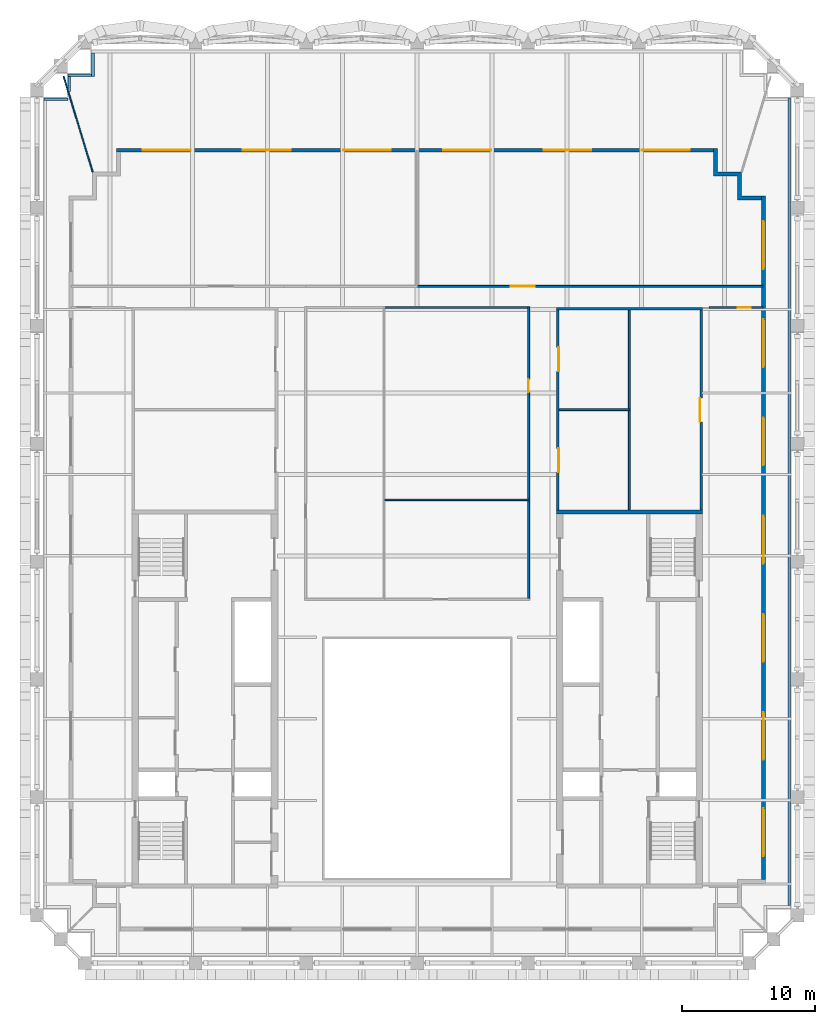
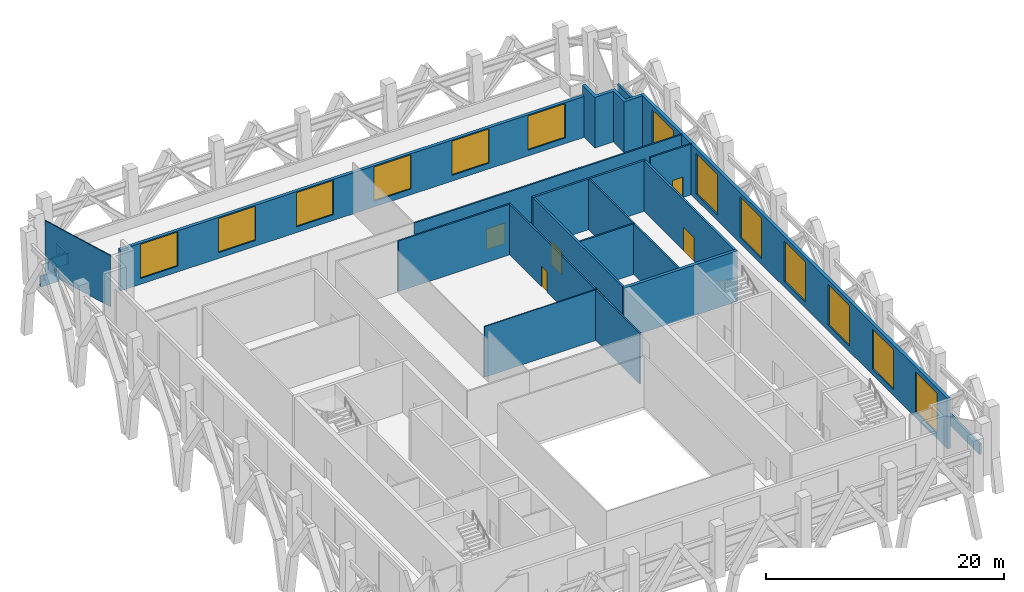
# One storey, part 7 of 13: 21 walls, 13 windows, 6 doors, 19 openings.
"""IFC4 building model written with IfcOpenShell, lengths in metres."""

from ifc_helpers import new_model, si_unit, direction, frame, frame_2d, origin, place, context, subcontext, project, spatial, polyline, rectangle, outline, extrude, material, layer, layer_set, type_object, element, fill, save


model = new_model("IFC4")

# Units and contexts
model_context = context("Model", 3, precision=1e-05, world=origin(), true_north=direction((0.0, 1.0)))
body_context = subcontext(model_context, "Body", "Model", "MODEL_VIEW")
ifc_project = project(units=[si_unit("LENGTHUNIT", "METRE"), si_unit("AREAUNIT", "SQUARE_METRE"), si_unit("VOLUMEUNIT", "CUBIC_METRE"), si_unit("PLANEANGLEUNIT", "RADIAN"), si_unit("MASSUNIT", "GRAM", prefix="KILO")], contexts=[model_context])

# Site, building, storey
site_placement = place(None, origin())
site = spatial("IfcSite", under=ifc_project, at=site_placement, CompositionType="ELEMENT")
building_placement = place(site_placement, origin())
building = spatial("IfcBuilding", under=site, at=building_placement, Name="Ogive Exchange Tower", CompositionType="ELEMENT")
storey_placement = place(building_placement, frame((0.0, 0.0, 363.60009765625)))
storey = spatial("IfcBuildingStorey", under=building, at=storey_placement, Name="L80", CompositionType="ELEMENT", Elevation=363.60009765625)

# Walls
ifc_material_1 = material(Name="Gypsum board partition")
ifc_layer_1 = layer(ifc_material_1, 0.14990234375)
ifc_layer_set_1 = layer_set([ifc_layer_1], Name="Core room partition 150 gypsum")
wall_type_1 = type_object("IfcWallType", Name="Core room partition 150 gypsum", PredefinedType="PARTITIONING", material=ifc_layer_set_1)
wall_1_placement = place(storey_placement, frame((16.0, 25.75, 0.0), z_axis=(0.0, 0.0, 1.0), x_axis=(0.0, 1.0, 0.0)))
element("IfcWall", 1, at=wall_1_placement, inside=storey, type_object=wall_type_1, Name="E annex N column wall", PredefinedType="PARTITIONING", context=body_context, shape_type="SweptSolid", body=[
    extrude(rectangle(XDim=15.050048828125, YDim=0.14990234375, at=frame_2d((7.52490234375, 0.0))), origin(), (0.0, 0.0, 1.0), 5.199951171875),
])
wall_2_placement = place(storey_placement, frame((10.699951171875, 33.300048828125, 0.0), z_axis=(0.0, 0.0, 1.0), x_axis=(1.0, 0.0, 0.0)))
element("IfcWall", 2, at=wall_2_placement, inside=storey, type_object=wall_type_1, Name="E annex N cross wall", PredefinedType="PARTITIONING", context=body_context, shape_type="SweptSolid", body=[
    extrude(rectangle(XDim=5.300048828125, YDim=0.14990234375, at=frame_2d((2.64990234375, 0.0))), origin(), (0.0, 0.0, 1.0), 5.199951171875),
])

# Wall, opening, door
ifc_material_2 = material(Name="Fire partition EI 60 150")
ifc_layer_2 = layer(ifc_material_2, 0.14990234375)
ifc_layer_set_2 = layer_set([ifc_layer_2], Name="Fire partition EI 60 150")
wall_type_2 = type_object("IfcWallType", Name="Fire partition EI 60 150", PredefinedType="PARTITIONING", material=ifc_layer_set_2)
wall_3_placement = place(storey_placement, frame((0.0, 42.60009765625, 0.0), z_axis=(0.0, 0.0, 1.0), x_axis=(1.0, 0.0, 0.0)))
wall_3 = element("IfcWall", 3, at=wall_3_placement, inside=storey, type_object=wall_type_2, Name="L80-PWL-014", PredefinedType="PARTITIONING", context=body_context, shape_type="SweptSolid", body=[
    extrude(rectangle(XDim=26.050048828125, YDim=0.14990234375, at=frame_2d((13.02490234375, 0.0))), origin(), (0.0, 0.0, 1.0), 5.199951171875),
])
opening_1_placement = place(wall_3_placement, frame((7.050048828125, 0.0, 0.0)))
opening_1 = element("IfcOpeningElement", 4, at=opening_1_placement, cuts=wall_3, Name="Opening L80-I01", PredefinedType="OPENING", context=body_context, shape_type="SweptSolid", body=[
    extrude(rectangle(XDim=1.800048828125, YDim=2.10009765625, at=frame_2d((0.89990234375, 1.050048828125))), frame((0.0, 0.0849609375, 0.0), z_axis=(0.0, -1.0, 0.0), x_axis=(1.0, 0.0, 0.0)), (0.0, 0.0, 1.0), 0.169921875),
])
ifc_material_3 = material(Name="Fire door FD 30S 1800 x 2100")
door_type_1 = type_object("IfcDoorType", Name="Fire door FD 30S 1800 x 2100", OperationType="DOUBLE_DOOR_SINGLE_SWING", PredefinedType="DOOR", material=ifc_material_3)
door_1_placement = place(opening_1_placement, origin())
door_1 = element("IfcDoor", 5, at=door_1_placement, inside=storey, type_object=door_type_1, Name="L80-IDR-001", ObjectType="DT4", OperationType="SINGLE_SWING_RIGHT", OverallHeight=2.10009765625, OverallWidth=1.800048828125, PredefinedType="DOOR", context=body_context, shape_type="SweptSolid", body=[
    extrude(rectangle(XDim=1.800048828125, YDim=2.10009765625, at=frame_2d((0.89990234375, 1.050048828125))), frame((0.0, 0.02490234375, 0.0), z_axis=(0.0, -1.0, 0.0), x_axis=(1.0, 0.0, 0.0)), (0.0, 0.0, 1.0), 0.050048828125),
])
fill(opening_1, door_1)

# Wall
wall_4_placement = place(storey_placement, frame((8.39990234375, 19.074951171875, 0.0), z_axis=(0.0, 0.0, 1.0), x_axis=(0.0, 1.0, 0.0)))
element("IfcWall", 6, at=wall_4_placement, inside=storey, type_object=wall_type_2, Name="L80-PWL-015", PredefinedType="PARTITIONING", context=body_context, shape_type="SweptSolid", body=[
    extrude(rectangle(XDim=7.375, YDim=0.14990234375, at=frame_2d((3.6875, 0.0))), origin(), (0.0, 0.0, 1.0), 5.199951171875),
])

# Wall, opening, door
wall_5_placement = place(storey_placement, frame((8.39990234375, 26.550048828125, 0.0), z_axis=(0.0, 0.0, 1.0), x_axis=(0.0, 1.0, 0.0)))
wall_5 = element("IfcWall", 7, at=wall_5_placement, inside=storey, type_object=wall_type_2, Name="L80-PWL-016", PredefinedType="PARTITIONING", context=body_context, shape_type="SweptSolid", body=[
    extrude(rectangle(XDim=14.52490234375, YDim=0.14990234375, at=frame_2d((7.262451171875, 0.0))), origin(), (0.0, 0.0, 1.0), 5.199951171875),
])
opening_2_placement = place(wall_5_placement, frame((8.050048828125, 0.0, 0.0)))
opening_2 = element("IfcOpeningElement", 8, at=opening_2_placement, cuts=wall_5, Name="Opening L80-I04", PredefinedType="OPENING", context=body_context, shape_type="SweptSolid", body=[
    extrude(rectangle(XDim=1.0, YDim=2.10009765625, at=frame_2d((0.5, 1.050048828125))), frame((0.0, 0.0849609375, 0.0), z_axis=(0.0, -1.0, 0.0), x_axis=(1.0, 0.0, 0.0)), (0.0, 0.0, 1.0), 0.169921875),
])
ifc_material_4 = material(Name="Fire door FD 30S 1000 x 2100")
door_type_2 = type_object("IfcDoorType", Name="Fire door FD 30S 1000 x 2100", OperationType="NOTDEFINED", PredefinedType="DOOR", material=ifc_material_4)
door_2_placement = place(opening_2_placement, origin())
door_2 = element("IfcDoor", 9, at=door_2_placement, inside=storey, type_object=door_type_2, Name="L80-IDR-004", ObjectType="DT3", OperationType="SINGLE_SWING_LEFT", OverallHeight=2.10009765625, OverallWidth=1.0, PredefinedType="DOOR", context=body_context, shape_type="SweptSolid", body=[
    extrude(rectangle(XDim=1.0, YDim=2.10009765625, at=frame_2d((0.5, 1.050048828125))), frame((0.0, 0.02490234375, 0.0), z_axis=(0.0, -1.0, 0.0), x_axis=(1.0, 0.0, 0.0)), (0.0, 0.0, 1.0), 0.050048828125),
])
fill(opening_2, door_2)

# Wall
wall_6_placement = place(storey_placement, frame((8.324951171875, 41.0, 0.0), z_axis=(0.0, 0.0, 1.0), x_axis=(-1.0, 0.0, 0.0)))
element("IfcWall", 10, at=wall_6_placement, inside=storey, type_object=wall_type_2, Name="L80-PWL-017", PredefinedType="PARTITIONING", context=body_context, shape_type="SweptSolid", body=[
    extrude(rectangle(XDim=10.77490234375, YDim=0.14990234375, at=frame_2d((5.387451171875, 0.0))), origin(), (0.0, 0.0, 1.0), 5.199951171875),
])

# Wall, opening, door
wall_7_placement = place(storey_placement, frame((26.050048828125, 41.0, 0.0), z_axis=(0.0, 0.0, 1.0), x_axis=(-1.0, 0.0, 0.0)))
wall_7 = element("IfcWall", 11, at=wall_7_placement, inside=storey, type_object=wall_type_2, Name="L80-PWL-019", PredefinedType="PARTITIONING", context=body_context, shape_type="SweptSolid", body=[
    extrude(rectangle(XDim=4.050048828125, YDim=0.14990234375, at=frame_2d((2.02490234375, 0.0))), origin(), (0.0, 0.0, 1.0), 5.199951171875),
])
opening_3_placement = place(wall_7_placement, frame((0.89990234375, 0.0, 0.0)))
opening_3 = element("IfcOpeningElement", 12, at=opening_3_placement, cuts=wall_7, Name="Opening L80-I07", PredefinedType="OPENING", context=body_context, shape_type="SweptSolid", body=[
    extrude(rectangle(XDim=1.0, YDim=2.10009765625, at=frame_2d((0.5, 1.050048828125))), frame((0.0, 0.0849609375, 0.0), z_axis=(0.0, -1.0, 0.0), x_axis=(1.0, 0.0, 0.0)), (0.0, 0.0, 1.0), 0.169921875),
])
door_3_placement = place(opening_3_placement, origin())
door_3 = element("IfcDoor", 13, at=door_3_placement, inside=storey, type_object=door_type_2, Name="L80-IDR-007", ObjectType="DT3", OperationType="SINGLE_SWING_RIGHT", OverallHeight=2.10009765625, OverallWidth=1.0, PredefinedType="DOOR", context=body_context, shape_type="SweptSolid", body=[
    extrude(rectangle(XDim=1.0, YDim=2.10009765625, at=frame_2d((0.5, 1.050048828125))), frame((0.0, 0.02490234375, 0.0), z_axis=(0.0, -1.0, 0.0), x_axis=(1.0, 0.0, 0.0)), (0.0, 0.0, 1.0), 0.050048828125),
])
fill(opening_3, door_3)

# Wall, openings, windows
ifc_material_5 = material(Name="Precast concrete C40/50", Category="concrete")
ifc_layer_3 = layer(ifc_material_5, 0.300048828125)
ifc_layer_set_3 = layer_set([ifc_layer_3], Name="Limestone-faced wall 300")
wall_type_3 = type_object("IfcWallType", Name="Limestone-faced wall 300", PredefinedType="STANDARD", material=ifc_layer_set_3)
wall_8_placement = place(storey_placement, frame((26.10009765625, -2.10009765625, 0.0), z_axis=(0.0, 0.0, 1.0), x_axis=(0.0, 1.0, 0.0)))
wall_8 = element("IfcWall", 14, at=wall_8_placement, inside=storey, type_object=wall_type_3, Name="External wall E2", PredefinedType="STANDARD", context=body_context, shape_type="SweptSolid", body=[
    extrude(rectangle(XDim=51.5, YDim=0.300048828125, at=frame_2d((25.75, 0.0))), origin(), (0.0, 0.0, 1.0), 5.199951171875),
])
opening_4_placement = place(wall_8_placement, frame((1.75, 0.0, 0.60009765625)))
opening_4 = element("IfcOpeningElement", 15, at=opening_4_placement, cuts=wall_8, Name="Opening LV1I", PredefinedType="OPENING", context=body_context, shape_type="SweptSolid", body=[
    extrude(rectangle(XDim=3.60009765625, YDim=4.10009765625, at=frame_2d((1.800048828125, 2.050048828125))), frame((0.0, 0.159912109375, 0.0), z_axis=(0.0, -1.0, 0.0), x_axis=(1.0, 0.0, 0.0)), (0.0, 0.0, 1.0), 0.320068359375),
])
opening_5_placement = place(wall_8_placement, frame((9.0, 0.0, 0.60009765625)))
opening_5 = element("IfcOpeningElement", 16, at=opening_5_placement, cuts=wall_8, Name="Opening LV1I", PredefinedType="OPENING", context=body_context, shape_type="SweptSolid", body=[
    extrude(rectangle(XDim=3.60009765625, YDim=4.10009765625, at=frame_2d((1.800048828125, 2.050048828125))), frame((0.0, 0.159912109375, 0.0), z_axis=(0.0, -1.0, 0.0), x_axis=(1.0, 0.0, 0.0)), (0.0, 0.0, 1.0), 0.320068359375),
])
opening_6_placement = place(wall_8_placement, frame((16.39990234375, 0.0, 0.60009765625)))
opening_6 = element("IfcOpeningElement", 17, at=opening_6_placement, cuts=wall_8, Name="Opening LV1", PredefinedType="OPENING", context=body_context, shape_type="SweptSolid", body=[
    extrude(rectangle(XDim=3.60009765625, YDim=4.14990234375, at=frame_2d((1.800048828125, 2.074951171875))), frame((0.0, 0.159912109375, 0.0), z_axis=(0.0, -1.0, 0.0), x_axis=(1.0, 0.0, 0.0)), (0.0, 0.0, 1.0), 0.320068359375),
])
opening_7_placement = place(wall_8_placement, frame((23.800048828125, 0.0, 0.60009765625)))
opening_7 = element("IfcOpeningElement", 18, at=opening_7_placement, cuts=wall_8, Name="Opening LV1", PredefinedType="OPENING", context=body_context, shape_type="SweptSolid", body=[
    extrude(rectangle(XDim=3.60009765625, YDim=4.14990234375, at=frame_2d((1.800048828125, 2.074951171875))), frame((0.0, 0.159912109375, 0.0), z_axis=(0.0, -1.0, 0.0), x_axis=(1.0, 0.0, 0.0)), (0.0, 0.0, 1.0), 0.320068359375),
])
opening_8_placement = place(wall_8_placement, frame((31.199951171875, 0.0, 0.60009765625)))
opening_8 = element("IfcOpeningElement", 19, at=opening_8_placement, cuts=wall_8, Name="Opening LV1", PredefinedType="OPENING", context=body_context, shape_type="SweptSolid", body=[
    extrude(rectangle(XDim=3.60009765625, YDim=4.14990234375, at=frame_2d((1.800048828125, 2.074951171875))), frame((0.0, 0.159912109375, 0.0), z_axis=(0.0, -1.0, 0.0), x_axis=(1.0, 0.0, 0.0)), (0.0, 0.0, 1.0), 0.320068359375),
])
opening_9_placement = place(wall_8_placement, frame((38.60009765625, 0.0, 0.60009765625)))
opening_9 = element("IfcOpeningElement", 20, at=opening_9_placement, cuts=wall_8, Name="Opening LV1", PredefinedType="OPENING", context=body_context, shape_type="SweptSolid", body=[
    extrude(rectangle(XDim=3.60009765625, YDim=4.14990234375, at=frame_2d((1.800048828125, 2.074951171875))), frame((0.0, 0.159912109375, 0.0), z_axis=(0.0, -1.0, 0.0), x_axis=(1.0, 0.0, 0.0)), (0.0, 0.0, 1.0), 0.320068359375),
])
opening_10_placement = place(wall_8_placement, frame((46.0, 0.0, 0.60009765625)))
opening_10 = element("IfcOpeningElement", 21, at=opening_10_placement, cuts=wall_8, Name="Opening LV1", PredefinedType="OPENING", context=body_context, shape_type="SweptSolid", body=[
    extrude(rectangle(XDim=3.60009765625, YDim=4.14990234375, at=frame_2d((1.800048828125, 2.074951171875))), frame((0.0, 0.159912109375, 0.0), z_axis=(0.0, -1.0, 0.0), x_axis=(1.0, 0.0, 0.0)), (0.0, 0.0, 1.0), 0.320068359375),
])
ifc_material_6 = material(Name="Anodised aluminium louvre", Category="aluminium")
window_type_1 = type_object("IfcWindowType", Name="Plant louvre 3600 x 4100", PartitioningType="DOUBLE_PANEL_HORIZONTAL", PredefinedType="WINDOW", material=ifc_material_6)
window_1_placement = place(opening_4_placement, origin())
window_1 = element("IfcWindow", 22, at=window_1_placement, inside=storey, type_object=window_type_1, Name="Louvre E00", OverallHeight=4.10009765625, OverallWidth=3.60009765625, PartitioningType="DOUBLE_PANEL_HORIZONTAL", PredefinedType="WINDOW", context=body_context, shape_type="SweptSolid", body=[
    extrude(rectangle(XDim=3.60009765625, YDim=4.10009765625, at=frame_2d((1.800048828125, 2.050048828125))), frame((0.0, 0.030029296875, 0.0), z_axis=(0.0, -1.0, 0.0), x_axis=(1.0, 0.0, 0.0)), (0.0, 0.0, 1.0), 0.06005859375),
])
fill(opening_4, window_1)
window_2_placement = place(opening_5_placement, origin())
window_2 = element("IfcWindow", 23, at=window_2_placement, inside=storey, type_object=window_type_1, Name="Louvre E01", OverallHeight=4.10009765625, OverallWidth=3.60009765625, PartitioningType="DOUBLE_PANEL_HORIZONTAL", PredefinedType="WINDOW", context=body_context, shape_type="SweptSolid", body=[
    extrude(rectangle(XDim=3.60009765625, YDim=4.10009765625, at=frame_2d((1.800048828125, 2.050048828125))), frame((0.0, 0.030029296875, 0.0), z_axis=(0.0, -1.0, 0.0), x_axis=(1.0, 0.0, 0.0)), (0.0, 0.0, 1.0), 0.06005859375),
])
fill(opening_5, window_2)
window_type_2 = type_object("IfcWindowType", Name="Plant louvre 3600 x 4150", PartitioningType="DOUBLE_PANEL_HORIZONTAL", PredefinedType="WINDOW", material=ifc_material_6)
window_3_placement = place(opening_6_placement, origin())
window_3 = element("IfcWindow", 24, at=window_3_placement, inside=storey, type_object=window_type_2, Name="Louvre E02", OverallHeight=4.14990234375, OverallWidth=3.60009765625, PartitioningType="DOUBLE_PANEL_HORIZONTAL", PredefinedType="WINDOW", context=body_context, shape_type="SweptSolid", body=[
    extrude(rectangle(XDim=3.60009765625, YDim=4.14990234375, at=frame_2d((1.800048828125, 2.074951171875))), frame((0.0, 0.030029296875, 0.0), z_axis=(0.0, -1.0, 0.0), x_axis=(1.0, 0.0, 0.0)), (0.0, 0.0, 1.0), 0.06005859375),
])
fill(opening_6, window_3)
window_4_placement = place(opening_7_placement, origin())
window_4 = element("IfcWindow", 25, at=window_4_placement, inside=storey, type_object=window_type_2, Name="Louvre E03", OverallHeight=4.14990234375, OverallWidth=3.60009765625, PartitioningType="DOUBLE_PANEL_HORIZONTAL", PredefinedType="WINDOW", context=body_context, shape_type="SweptSolid", body=[
    extrude(rectangle(XDim=3.60009765625, YDim=4.14990234375, at=frame_2d((1.800048828125, 2.074951171875))), frame((0.0, 0.030029296875, 0.0), z_axis=(0.0, -1.0, 0.0), x_axis=(1.0, 0.0, 0.0)), (0.0, 0.0, 1.0), 0.06005859375),
])
fill(opening_7, window_4)
window_5_placement = place(opening_8_placement, origin())
window_5 = element("IfcWindow", 26, at=window_5_placement, inside=storey, type_object=window_type_2, Name="Louvre E04", OverallHeight=4.14990234375, OverallWidth=3.60009765625, PartitioningType="DOUBLE_PANEL_HORIZONTAL", PredefinedType="WINDOW", context=body_context, shape_type="SweptSolid", body=[
    extrude(rectangle(XDim=3.60009765625, YDim=4.14990234375, at=frame_2d((1.800048828125, 2.074951171875))), frame((0.0, 0.030029296875, 0.0), z_axis=(0.0, -1.0, 0.0), x_axis=(1.0, 0.0, 0.0)), (0.0, 0.0, 1.0), 0.06005859375),
])
fill(opening_8, window_5)
window_6_placement = place(opening_9_placement, origin())
window_6 = element("IfcWindow", 27, at=window_6_placement, inside=storey, type_object=window_type_2, Name="Louvre E05", OverallHeight=4.14990234375, OverallWidth=3.60009765625, PartitioningType="DOUBLE_PANEL_HORIZONTAL", PredefinedType="WINDOW", context=body_context, shape_type="SweptSolid", body=[
    extrude(rectangle(XDim=3.60009765625, YDim=4.14990234375, at=frame_2d((1.800048828125, 2.074951171875))), frame((0.0, 0.030029296875, 0.0), z_axis=(0.0, -1.0, 0.0), x_axis=(1.0, 0.0, 0.0)), (0.0, 0.0, 1.0), 0.06005859375),
])
fill(opening_9, window_6)
window_7_placement = place(opening_10_placement, origin())
window_7 = element("IfcWindow", 28, at=window_7_placement, inside=storey, type_object=window_type_2, Name="Louvre E06", OverallHeight=4.14990234375, OverallWidth=3.60009765625, PartitioningType="DOUBLE_PANEL_HORIZONTAL", PredefinedType="WINDOW", context=body_context, shape_type="SweptSolid", body=[
    extrude(rectangle(XDim=3.60009765625, YDim=4.14990234375, at=frame_2d((1.800048828125, 2.074951171875))), frame((0.0, 0.030029296875, 0.0), z_axis=(0.0, -1.0, 0.0), x_axis=(1.0, 0.0, 0.0)), (0.0, 0.0, 1.0), 0.06005859375),
])
fill(opening_10, window_7)

wall_9_placement = place(storey_placement, frame((22.35009765625, 52.85009765625, 0.0), z_axis=(0.0, 0.0, 1.0), x_axis=(-1.0, 0.0, 0.0)))
wall_9 = element("IfcWall", 29, at=wall_9_placement, inside=storey, type_object=wall_type_3, Name="External wall N3", PredefinedType="STANDARD", context=body_context, shape_type="SweptSolid", body=[
    extrude(rectangle(XDim=45.0, YDim=0.300048828125, at=frame_2d((22.5, 0.0))), origin(), (0.0, 0.0, 1.0), 4.219970703125),
])
opening_11_placement = place(wall_9_placement, frame((1.824951171875, 0.0, 0.60009765625)))
opening_11 = element("IfcOpeningElement", 30, at=opening_11_placement, cuts=wall_9, Name="Opening LV1J", PredefinedType="OPENING", context=body_context, shape_type="SweptSolid", body=[
    extrude(rectangle(XDim=3.60009765625, YDim=3.5, at=frame_2d((1.800048828125, 1.75))), frame((0.0, 0.159912109375, 0.0), z_axis=(0.0, -1.0, 0.0), x_axis=(1.0, 0.0, 0.0)), (0.0, 0.0, 1.0), 0.320068359375),
])
opening_12_placement = place(wall_9_placement, frame((9.22509765625, 0.0, 0.60009765625)))
opening_12 = element("IfcOpeningElement", 31, at=opening_12_placement, cuts=wall_9, Name="Opening LV1J", PredefinedType="OPENING", context=body_context, shape_type="SweptSolid", body=[
    extrude(rectangle(XDim=3.60009765625, YDim=3.5, at=frame_2d((1.800048828125, 1.75))), frame((0.0, 0.159912109375, 0.0), z_axis=(0.0, -1.0, 0.0), x_axis=(1.0, 0.0, 0.0)), (0.0, 0.0, 1.0), 0.320068359375),
])
opening_13_placement = place(wall_9_placement, frame((16.77490234375, 0.0, 0.60009765625)))
opening_13 = element("IfcOpeningElement", 32, at=opening_13_placement, cuts=wall_9, Name="Opening LV1J", PredefinedType="OPENING", context=body_context, shape_type="SweptSolid", body=[
    extrude(rectangle(XDim=3.60009765625, YDim=3.5, at=frame_2d((1.800048828125, 1.75))), frame((0.0, 0.159912109375, 0.0), z_axis=(0.0, -1.0, 0.0), x_axis=(1.0, 0.0, 0.0)), (0.0, 0.0, 1.0), 0.320068359375),
])
opening_14_placement = place(wall_9_placement, frame((24.324951171875, 0.0, 0.60009765625)))
opening_14 = element("IfcOpeningElement", 33, at=opening_14_placement, cuts=wall_9, Name="Opening LV1J", PredefinedType="OPENING", context=body_context, shape_type="SweptSolid", body=[
    extrude(rectangle(XDim=3.60009765625, YDim=3.5, at=frame_2d((1.800048828125, 1.75))), frame((0.0, 0.159912109375, 0.0), z_axis=(0.0, -1.0, 0.0), x_axis=(1.0, 0.0, 0.0)), (0.0, 0.0, 1.0), 0.320068359375),
])
opening_15_placement = place(wall_9_placement, frame((31.875, 0.0, 0.60009765625)))
opening_15 = element("IfcOpeningElement", 34, at=opening_15_placement, cuts=wall_9, Name="Opening LV1J", PredefinedType="OPENING", context=body_context, shape_type="SweptSolid", body=[
    extrude(rectangle(XDim=3.60009765625, YDim=3.5, at=frame_2d((1.800048828125, 1.75))), frame((0.0, 0.159912109375, 0.0), z_axis=(0.0, -1.0, 0.0), x_axis=(1.0, 0.0, 0.0)), (0.0, 0.0, 1.0), 0.320068359375),
])
opening_16_placement = place(wall_9_placement, frame((39.425048828125, 0.0, 0.60009765625)))
opening_16 = element("IfcOpeningElement", 35, at=opening_16_placement, cuts=wall_9, Name="Opening LV1J", PredefinedType="OPENING", context=body_context, shape_type="SweptSolid", body=[
    extrude(rectangle(XDim=3.60009765625, YDim=3.5, at=frame_2d((1.800048828125, 1.75))), frame((0.0, 0.159912109375, 0.0), z_axis=(0.0, -1.0, 0.0), x_axis=(1.0, 0.0, 0.0)), (0.0, 0.0, 1.0), 0.320068359375),
])
window_type_3 = type_object("IfcWindowType", Name="Plant louvre 3600 x 3500", PartitioningType="DOUBLE_PANEL_HORIZONTAL", PredefinedType="WINDOW", material=ifc_material_6)
window_8_placement = place(opening_11_placement, origin())
window_8 = element("IfcWindow", 36, at=window_8_placement, inside=storey, type_object=window_type_3, Name="Louvre N00", OverallHeight=3.5, OverallWidth=3.60009765625, PartitioningType="DOUBLE_PANEL_HORIZONTAL", PredefinedType="WINDOW", context=body_context, shape_type="SweptSolid", body=[
    extrude(rectangle(XDim=3.60009765625, YDim=3.5, at=frame_2d((1.800048828125, 1.75))), frame((0.0, 0.030029296875, 0.0), z_axis=(0.0, -1.0, 0.0), x_axis=(1.0, 0.0, 0.0)), (0.0, 0.0, 1.0), 0.06005859375),
])
fill(opening_11, window_8)
window_9_placement = place(opening_12_placement, origin())
window_9 = element("IfcWindow", 37, at=window_9_placement, inside=storey, type_object=window_type_3, Name="Louvre N01", OverallHeight=3.5, OverallWidth=3.60009765625, PartitioningType="DOUBLE_PANEL_HORIZONTAL", PredefinedType="WINDOW", context=body_context, shape_type="SweptSolid", body=[
    extrude(rectangle(XDim=3.60009765625, YDim=3.5, at=frame_2d((1.800048828125, 1.75))), frame((0.0, 0.030029296875, 0.0), z_axis=(0.0, -1.0, 0.0), x_axis=(1.0, 0.0, 0.0)), (0.0, 0.0, 1.0), 0.06005859375),
])
fill(opening_12, window_9)
window_10_placement = place(opening_13_placement, origin())
window_10 = element("IfcWindow", 38, at=window_10_placement, inside=storey, type_object=window_type_3, Name="Louvre N02", OverallHeight=3.5, OverallWidth=3.60009765625, PartitioningType="DOUBLE_PANEL_HORIZONTAL", PredefinedType="WINDOW", context=body_context, shape_type="SweptSolid", body=[
    extrude(rectangle(XDim=3.60009765625, YDim=3.5, at=frame_2d((1.800048828125, 1.75))), frame((0.0, 0.030029296875, 0.0), z_axis=(0.0, -1.0, 0.0), x_axis=(1.0, 0.0, 0.0)), (0.0, 0.0, 1.0), 0.06005859375),
])
fill(opening_13, window_10)
window_11_placement = place(opening_14_placement, origin())
window_11 = element("IfcWindow", 39, at=window_11_placement, inside=storey, type_object=window_type_3, Name="Louvre N03", OverallHeight=3.5, OverallWidth=3.60009765625, PartitioningType="DOUBLE_PANEL_HORIZONTAL", PredefinedType="WINDOW", context=body_context, shape_type="SweptSolid", body=[
    extrude(rectangle(XDim=3.60009765625, YDim=3.5, at=frame_2d((1.800048828125, 1.75))), frame((0.0, 0.030029296875, 0.0), z_axis=(0.0, -1.0, 0.0), x_axis=(1.0, 0.0, 0.0)), (0.0, 0.0, 1.0), 0.06005859375),
])
fill(opening_14, window_11)
window_12_placement = place(opening_15_placement, origin())
window_12 = element("IfcWindow", 40, at=window_12_placement, inside=storey, type_object=window_type_3, Name="Louvre N04", OverallHeight=3.5, OverallWidth=3.60009765625, PartitioningType="DOUBLE_PANEL_HORIZONTAL", PredefinedType="WINDOW", context=body_context, shape_type="SweptSolid", body=[
    extrude(rectangle(XDim=3.60009765625, YDim=3.5, at=frame_2d((1.800048828125, 1.75))), frame((0.0, 0.030029296875, 0.0), z_axis=(0.0, -1.0, 0.0), x_axis=(1.0, 0.0, 0.0)), (0.0, 0.0, 1.0), 0.06005859375),
])
fill(opening_15, window_12)
window_13_placement = place(opening_16_placement, origin())
window_13 = element("IfcWindow", 41, at=window_13_placement, inside=storey, type_object=window_type_3, Name="Louvre N05", OverallHeight=3.5, OverallWidth=3.60009765625, PartitioningType="DOUBLE_PANEL_HORIZONTAL", PredefinedType="WINDOW", context=body_context, shape_type="SweptSolid", body=[
    extrude(rectangle(XDim=3.60009765625, YDim=3.5, at=frame_2d((1.800048828125, 1.75))), frame((0.0, 0.030029296875, 0.0), z_axis=(0.0, -1.0, 0.0), x_axis=(1.0, 0.0, 0.0)), (0.0, 0.0, 1.0), 0.06005859375),
])
fill(opening_16, window_13)

# Walls
wall_10_placement = place(storey_placement, origin())
element("IfcWall", 42, at=wall_10_placement, inside=storey, type_object=wall_type_3, Name="External corner wall C2", PredefinedType="STANDARD", context=body_context, shape_type="SweptSolid", body=[
    extrude(outline(polyline([(24.14990234375, 50.89990234375), (22.35009765625, 50.89990234375), (22.35009765625, 53.0), (22.64990234375, 53.0), (22.64990234375, 51.199951171875), (24.449951171875, 51.199951171875), (24.449951171875, 49.39990234375), (25.949951171875, 49.39990234375), (25.949951171875, 49.10009765625), (24.14990234375, 49.10009765625), (24.14990234375, 50.89990234375)])), origin(), (0.0, 0.0, 1.0), 5.199951171875),
])
ifc_material_7 = material(Name="Laminated safety glass in steel frame", Category="steel")
ifc_layer_4 = layer(ifc_material_7, 0.10009765625)
ifc_layer_set_4 = layer_set([ifc_layer_4], Name="Loggia end screen 100")
wall_type_4 = type_object("IfcWallType", Name="Loggia end screen 100", PredefinedType="STANDARD", material=ifc_layer_set_4)
wall_11_placement = place(storey_placement, frame((-24.449951171875, 51.199951171875, -0.050048828125), z_axis=(0.0, 0.0, 1.0), x_axis=(-0.290383107351, 0.956910471761, 0.0)))
element("IfcWall", 43, at=wall_11_placement, inside=storey, type_object=wall_type_4, Name="Loggia end screen C3", PredefinedType="STANDARD", context=body_context, shape_type="SweptSolid", body=[
    extrude(rectangle(XDim=7.5380859375, YDim=0.10009765625, at=frame_2d((3.76904296875, 0.0))), origin(), (0.0, 0.0, 1.0), 5.25),
])
ifc_material_8 = material(Name="Partition 100 gypsum")
ifc_layer_5 = layer(ifc_material_8, 0.10009765625)
ifc_layer_set_5 = layer_set([ifc_layer_5], Name="Partition 100 gypsum")
wall_type_5 = type_object("IfcWallType", Name="Partition 100 gypsum", PredefinedType="PARTITIONING", material=ifc_layer_set_5)
wall_12_placement = place(storey_placement, frame((-2.449951171875, 26.5, 0.0), z_axis=(0.0, 0.0, 1.0), x_axis=(1.0, 0.0, 0.0)))
element("IfcWall", 44, at=wall_12_placement, inside=storey, type_object=wall_type_5, Name="L80-PWL-011", PredefinedType="PARTITIONING", context=body_context, shape_type="SweptSolid", body=[
    extrude(rectangle(XDim=10.925048828125, YDim=0.10009765625, at=frame_2d((5.46240234375, 0.0))), origin(), (0.0, 0.0, 1.0), 5.199951171875),
])
ifc_layer_6 = layer(ifc_material_5, 0.199951171875)
ifc_layer_set_6 = layer_set([ifc_layer_6], Name="Plant deck parapet 200")
wall_type_6 = type_object("IfcWallType", Name="Plant deck parapet 200", PredefinedType="STANDARD", material=ifc_layer_set_6)
wall_13_placement = place(storey_placement, frame((28.030029296875, -4.080078125, -0.050048828125), z_axis=(0.0, 0.0, 1.0), x_axis=(0.0, 1.0, 0.0)))
element("IfcWall", 45, at=wall_13_placement, inside=storey, type_object=wall_type_6, Name="Plant deck parapet 6", PredefinedType="STANDARD", context=body_context, shape_type="SweptSolid", body=[
    extrude(rectangle(XDim=60.869140625, YDim=0.199951171875, at=frame_2d((30.4345703125, 0.0))), origin(), (0.0, 0.0, 1.0), 1.099853515625),
])
for number, where, z_axis, x_axis, name in (
    (46, (-24.429931640625, 60.189208984375, -0.050048828125), (0.0, 0.0, 1.0), (0.0, -1.0, 0.0), "Plant deck parapet 12"),
    (47, (-24.530029296875, 58.489013671875, -0.050048828125), (0.0, 0.0, 1.0), (-1.0, 0.0, 0.0), "Plant deck parapet 13"),
):
    element("IfcWall", number, at=place(storey_placement, frame(where, z_axis=z_axis, x_axis=x_axis)), inside=storey, type_object=wall_type_6, Name=name, PredefinedType="STANDARD", context=body_context, shape_type="SweptSolid", body=[
        extrude(rectangle(XDim=1.800048828125, YDim=0.199951171875, at=frame_2d((0.89990234375, 0.0))), origin(), (0.0, 0.0, 1.0), 1.099853515625),
    ])
wall_14_placement = place(storey_placement, frame((-26.22998046875, 58.38916015625, -0.050048828125), z_axis=(0.0, 0.0, 1.0), x_axis=(0.0, -1.0, 0.0)))
element("IfcWall", 48, at=wall_14_placement, inside=storey, type_object=wall_type_6, Name="Plant deck parapet 14", PredefinedType="STANDARD", context=body_context, shape_type="SweptSolid", body=[
    extrude(rectangle(XDim=1.099365234375, YDim=0.199951171875, at=frame_2d((0.5498046875, 0.0))), origin(), (0.0, 0.0, 1.0), 1.099853515625),
])
wall_15_placement = place(storey_placement, frame((-26.330078125, 56.689208984375, -0.050048828125), z_axis=(0.0, 0.0, 1.0), x_axis=(-1.0, 0.0, 0.0)))
element("IfcWall", 49, at=wall_15_placement, inside=storey, type_object=wall_type_6, Name="Plant deck parapet 15", PredefinedType="STANDARD", context=body_context, shape_type="SweptSolid", body=[
    extrude(rectangle(XDim=1.7998046875, YDim=0.199951171875, at=frame_2d((0.89990234375, 0.0))), origin(), (0.0, 0.0, 1.0), 1.099853515625),
])

# Wall, opening, door
ifc_material_9 = material(Name="Concrete C70/85", Category="concrete")
ifc_layer_7 = layer(ifc_material_9, 0.199951171875)
ifc_layer_set_7 = layer_set([ifc_layer_7], Name="RC core wall 200 C70/85")
wall_type_7 = type_object("IfcWallType", Name="RC core wall 200 C70/85", PredefinedType="SHEAR", material=ifc_layer_set_7)
wall_16_placement = place(storey_placement, frame((21.39990234375, 25.75, 0.0), z_axis=(0.0, 0.0, 1.0), x_axis=(0.0, 1.0, 0.0)))
wall_16 = element("IfcWall", 50, at=wall_16_placement, inside=storey, type_object=wall_type_7, Name="E annex N outer wall", PredefinedType="SHEAR", context=body_context, shape_type="SweptSolid", body=[
    extrude(rectangle(XDim=15.050048828125, YDim=0.199951171875, at=frame_2d((7.52490234375, 0.0))), origin(), (0.0, 0.0, 1.0), 5.199951171875),
])
opening_17_placement = place(wall_16_placement, frame((6.625, 0.0, 0.0)))
opening_17 = element("IfcOpeningElement", 51, at=opening_17_placement, cuts=wall_16, Name="Opening L80-C27", PredefinedType="OPENING", context=body_context, shape_type="SweptSolid", body=[
    extrude(rectangle(XDim=1.800048828125, YDim=2.39990234375, at=frame_2d((0.89990234375, 1.199951171875))), frame((0.0, 0.10986328125, 0.0), z_axis=(0.0, -1.0, 0.0), x_axis=(1.0, 0.0, 0.0)), (0.0, 0.0, 1.0), 0.219970703125),
])
ifc_material_10 = material(Name="Steel fire door", Category="steel")
door_type_3 = type_object("IfcDoorType", Name="Plant room door FD60 1800 x 2400", OperationType="DOUBLE_DOOR_SINGLE_SWING", PredefinedType="DOOR", material=ifc_material_10)
door_4_placement = place(opening_17_placement, frame((1.800048828125, 0.14990234375, 0.0), z_axis=(0.0, 0.0, 1.0), x_axis=(-1.0, 0.0, 0.0)))
door_4 = element("IfcDoor", 52, at=door_4_placement, inside=storey, type_object=door_type_3, Name="Plant room door", ObjectType="CD1", OperationType="DOUBLE_DOOR_SINGLE_SWING", OverallHeight=2.39990234375, OverallWidth=1.800048828125, PredefinedType="DOOR", context=body_context, shape_type="SweptSolid", body=[
    extrude(rectangle(XDim=1.800048828125, YDim=2.39990234375, at=frame_2d((0.89990234375, 1.199951171875))), frame((0.0, 0.10009765625, 0.0), z_axis=(0.0, -1.0, 0.0), x_axis=(1.0, 0.0, 0.0)), (0.0, 0.0, 1.0), 0.050048828125),
])
fill(opening_17, door_4)

# Wall, openings, doors
wall_17_placement = place(storey_placement, frame((10.60009765625, 25.75, 0.0), z_axis=(0.0, 0.0, 1.0), x_axis=(0.0, 1.0, 0.0)))
wall_17 = element("IfcWall", 53, at=wall_17_placement, inside=storey, type_object=wall_type_7, Name="E annex N inner wall", PredefinedType="SHEAR", context=body_context, shape_type="SweptSolid", body=[
    extrude(rectangle(XDim=15.050048828125, YDim=0.199951171875, at=frame_2d((7.52490234375, 0.0))), origin(), (0.0, 0.0, 1.0), 5.199951171875),
])
opening_18_placement = place(wall_17_placement, frame((2.83740234375, 0.0, 0.0)))
opening_18 = element("IfcOpeningElement", 54, at=opening_18_placement, cuts=wall_17, Name="Opening L80-C28", PredefinedType="OPENING", context=body_context, shape_type="SweptSolid", body=[
    extrude(rectangle(XDim=1.800048828125, YDim=2.39990234375, at=frame_2d((0.89990234375, 1.199951171875))), frame((0.0, 0.10986328125, 0.0), z_axis=(0.0, -1.0, 0.0), x_axis=(1.0, 0.0, 0.0)), (0.0, 0.0, 1.0), 0.219970703125),
])
opening_19_placement = place(wall_17_placement, frame((10.4375, 0.0, 0.0)))
opening_19 = element("IfcOpeningElement", 55, at=opening_19_placement, cuts=wall_17, Name="Opening L80-C29", PredefinedType="OPENING", context=body_context, shape_type="SweptSolid", body=[
    extrude(rectangle(XDim=1.800048828125, YDim=2.39990234375, at=frame_2d((0.89990234375, 1.199951171875))), frame((0.0, 0.10986328125, 0.0), z_axis=(0.0, -1.0, 0.0), x_axis=(1.0, 0.0, 0.0)), (0.0, 0.0, 1.0), 0.219970703125),
])
door_5_placement = place(opening_18_placement, origin())
door_5 = element("IfcDoor", 56, at=door_5_placement, inside=storey, type_object=door_type_3, Name="Plant room door", ObjectType="CD1", OperationType="DOUBLE_DOOR_SINGLE_SWING", OverallHeight=2.39990234375, OverallWidth=1.800048828125, PredefinedType="DOOR", context=body_context, shape_type="SweptSolid", body=[
    extrude(rectangle(XDim=1.800048828125, YDim=2.39990234375, at=frame_2d((0.89990234375, 1.199951171875))), frame((0.0, -0.0498046875, 0.0), z_axis=(0.0, -1.0, 0.0), x_axis=(1.0, 0.0, 0.0)), (0.0, 0.0, 1.0), 0.050048828125),
])
fill(opening_18, door_5)
door_6_placement = place(opening_19_placement, origin())
door_6 = element("IfcDoor", 57, at=door_6_placement, inside=storey, type_object=door_type_3, Name="Plant room door", ObjectType="CD1", OperationType="DOUBLE_DOOR_SINGLE_SWING", OverallHeight=2.39990234375, OverallWidth=1.800048828125, PredefinedType="DOOR", context=body_context, shape_type="SweptSolid", body=[
    extrude(rectangle(XDim=1.800048828125, YDim=2.39990234375, at=frame_2d((0.89990234375, 1.199951171875))), frame((0.0, -0.0498046875, 0.0), z_axis=(0.0, -1.0, 0.0), x_axis=(1.0, 0.0, 0.0)), (0.0, 0.0, 1.0), 0.050048828125),
])
fill(opening_19, door_6)

# Walls
wall_18_placement = place(storey_placement, frame((10.5, 40.89990234375, 0.0), z_axis=(0.0, 0.0, 1.0), x_axis=(1.0, 0.0, 0.0)))
element("IfcWall", 58, at=wall_18_placement, inside=storey, type_object=wall_type_7, Name="E annex N end wall", PredefinedType="SHEAR", context=body_context, shape_type="SweptSolid", body=[
    extrude(rectangle(XDim=11.0, YDim=0.199951171875, at=frame_2d((5.5, 0.0))), origin(), (0.0, 0.0, 1.0), 5.199951171875),
])
ifc_layer_8 = layer(ifc_material_9, 0.300048828125)
ifc_layer_set_8 = layer_set([ifc_layer_8], Name="RC core wall 300 C70/85")
wall_type_8 = type_object("IfcWallType", Name="RC core wall 300 C70/85", PredefinedType="SHEAR", material=ifc_layer_set_8)
wall_19_placement = place(storey_placement, frame((10.5, 25.60009765625, 0.0), z_axis=(0.0, 0.0, 1.0), x_axis=(1.0, 0.0, 0.0)))
element("IfcWall", 59, at=wall_19_placement, inside=storey, type_object=wall_type_8, Name="E north end wall", PredefinedType="SHEAR", context=body_context, shape_type="SweptSolid", body=[
    extrude(rectangle(XDim=11.0, YDim=0.300048828125, at=frame_2d((5.5, 0.0))), origin(), (0.0, 0.0, 1.0), 5.199951171875),
])

save(model, "model.ifc")
